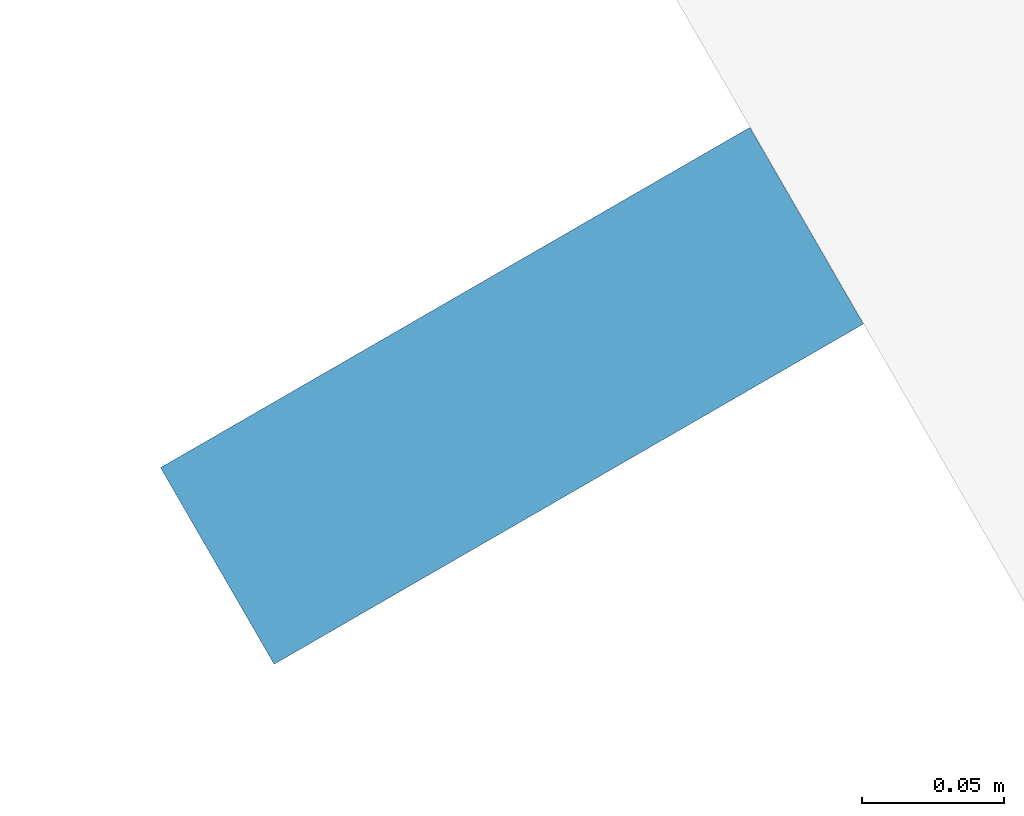
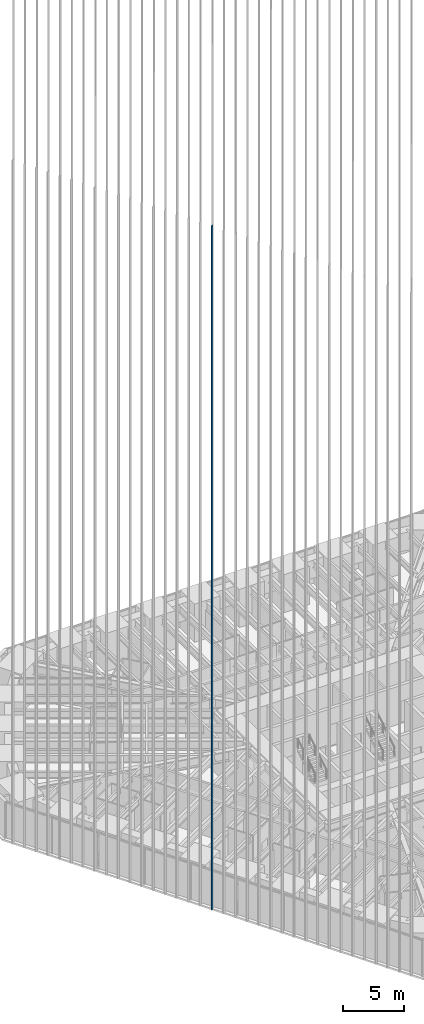
# One storey, part 49 of 256: 1 member, 1 element without a shape of its own.
"""IFC4 building model written with IfcOpenShell, lengths in metres."""

import ifcopenshell
import ifcopenshell.guid

model = None  # the IFC model being written
_history = None  # IfcOwnerHistory: only IFC2X3 demands one
_inside = {}  # id of a spatial element -> (the spatial element, [elements in it])
_under = {}  # id of a project, library or spatial element -> (it, [spatial elements below it])
_declared = {}  # id of a project -> (the project, [libraries it declares])
_typed = {}  # id of a type object -> (the type object, [elements of that type])
_made_of = {}  # id of a material, layer set ... -> (it, [elements and type objects made of it])


def new_model(schema):
    """Start an empty IFC model of exactly this schema.

    Asked for "IFC4X3", IfcOpenShell would pick the latest addendum, in which some entities
    have other attributes; the version numbers below select the first issue.
    IFC2X3 requires an IfcOwnerHistory on every rooted entity: one is made here for all.
    """
    global model, _history
    if schema == "IFC4X3":
        model = ifcopenshell.file(schema_version=(4, 3, 0, 0))
    else:
        model = ifcopenshell.file(schema=schema)
    _inside.clear()
    _under.clear()
    _declared.clear()
    _typed.clear()
    _made_of.clear()
    _history = None
    if model.schema == "IFC2X3":
        org = make("IfcOrganization", Name="unknown")
        user = make(
            "IfcPersonAndOrganization",
            ThePerson=make("IfcPerson", FamilyName="unknown"),
            TheOrganization=org,
        )
        app = make(
            "IfcApplication",
            ApplicationDeveloper=org,
            Version="unknown",
            ApplicationFullName="unknown",
            ApplicationIdentifier="unknown",
        )
        _history = make(
            "IfcOwnerHistory",
            OwningUser=user,
            OwningApplication=app,
            ChangeAction="ADDED",
            CreationDate=0,
        )
    return model


def make(cls, **values):
    """One entity of the class cls with the attributes given. An attribute that is None is left unset."""
    return model.create_entity(
        cls, **{name: value for name, value in values.items() if value is not None}
    )


def rooted(cls, **values):
    """An entity with a GlobalId (a new one), such as an element, a storey or a relation."""
    return make(cls, GlobalId=ifcopenshell.guid.new(), OwnerHistory=_history, **values)


def si_unit(unit_type, name, prefix=None):
    """IfcSIUnit, for example si_unit("LENGTHUNIT", "METRE", prefix="MILLI")."""
    return make("IfcSIUnit", UnitType=unit_type, Prefix=prefix, Name=name)


def assignment(units):
    """IfcUnitAssignment: the units of a project."""
    return None if units is None else make("IfcUnitAssignment", Units=units)


def point(xyz):
    """IfcCartesianPoint."""
    return None if xyz is None else make("IfcCartesianPoint", Coordinates=xyz)


def direction(xyz):
    """IfcDirection."""
    return None if xyz is None else make("IfcDirection", DirectionRatios=xyz)


def frame(location, z_axis=None, x_axis=None):
    """IfcAxis2Placement3D, a coordinate frame: its origin and axes. An axis left out is left unset."""
    return make(
        "IfcAxis2Placement3D",
        Location=point(location),
        Axis=direction(z_axis),
        RefDirection=direction(x_axis),
    )


def frame_2d(location, x_axis=None):
    """IfcAxis2Placement2D, a coordinate frame in the plane: its origin and x axis."""
    return make(
        "IfcAxis2Placement2D", Location=point(location), RefDirection=direction(x_axis)
    )


def origin():
    """The frame at (0, 0, 0) with its axes left unset."""
    return frame((0.0, 0.0, 0.0))


def origin_2d():
    """The frame at (0, 0) in the plane with its x axis left unset."""
    return frame_2d((0.0, 0.0))


def place(relative_to, where):
    """IfcLocalPlacement: puts the frame where relative to a parent placement (None: the world)."""
    return make(
        "IfcLocalPlacement", PlacementRelTo=relative_to, RelativePlacement=where
    )


def context(
    kind, dimensions, precision=None, world=None, true_north=None, identifier=None
):
    """IfcGeometricRepresentationContext, for example the 3D "Model" context."""
    return make(
        "IfcGeometricRepresentationContext",
        ContextIdentifier=identifier,
        ContextType=kind,
        CoordinateSpaceDimension=dimensions,
        Precision=precision,
        WorldCoordinateSystem=world,
        TrueNorth=true_north,
    )


def subcontext(parent, identifier, kind, view, scale=None):
    """IfcGeometricRepresentationSubContext, for example "Body" below "Model"."""
    return make(
        "IfcGeometricRepresentationSubContext",
        ContextIdentifier=identifier,
        ContextType=kind,
        ParentContext=parent,
        TargetScale=scale,
        TargetView=view,
    )


def project(units=None, contexts=None):
    """IfcProject with its units and contexts."""
    return rooted(
        "IfcProject",
        Name="project",
        RepresentationContexts=contexts,
        UnitsInContext=assignment(units),
    )


def spatial(cls, under=None, at=None, **own):
    """A site, building, storey or space (cls), placed at a placement, below another one or the project."""
    s = rooted(cls, ObjectPlacement=at, **own)
    if under is not None:
        _under.setdefault(under.id(), (under, []))[1].append(s)
    return s


def profile(cls, at=None, kind="AREA", **sizes):
    """A parametric profile (cls). Its sizes go by their IFC names, for example OverallWidth=200.0."""
    return make(cls, ProfileType=kind, Position=at, **sizes)


def rectangle(**sizes):
    """IfcRectangleProfileDef."""
    return profile("IfcRectangleProfileDef", **sizes)


def extrude(swept, where, along, depth):
    """IfcExtrudedAreaSolid: the profile swept, set in the frame where, extruded along a direction by depth."""
    return make(
        "IfcExtrudedAreaSolid",
        SweptArea=swept,
        Position=where,
        ExtrudedDirection=direction(along),
        Depth=depth,
    )


def shape(context_of_items, identifier, shape_type, items):
    """IfcShapeRepresentation: the items that make up one representation, for example the "Body"."""
    return make(
        "IfcShapeRepresentation",
        ContextOfItems=context_of_items,
        RepresentationIdentifier=identifier,
        RepresentationType=shape_type,
        Items=items,
    )


def material(Name=None, Category=None):
    """IfcMaterial."""
    return make("IfcMaterial", Name=Name, Category=Category)


def material_profile(
    of_material, cross_section, Name=None, Category=None, Priority=None
):
    """IfcMaterialProfile: a cross section and its material."""
    return make(
        "IfcMaterialProfile",
        Name=Name,
        Material=of_material,
        Profile=cross_section,
        Priority=Priority,
        Category=Category,
    )


def profile_set(profiles, Name=None, composite=None):
    """IfcMaterialProfileSet."""
    return make(
        "IfcMaterialProfileSet",
        Name=Name,
        MaterialProfiles=profiles,
        CompositeProfile=composite,
    )


def made_of(thing, what):
    """Note that an element or type object is made of a material, layer set ...; save() writes the relation."""
    if what is not None:
        _made_of.setdefault(what.id(), (what, []))[1].append(thing)
    return thing


def type_object(cls, material=None, **own):
    """A type object (cls), such as IfcWallType, which elements share."""
    return made_of(rooted(cls, **own), material)


def element(
    cls,
    number,
    at=None,
    inside=None,
    cuts=None,
    type_object=None,
    material=None,
    context=None,
    identifier="Body",
    shape_type=None,
    held_by="IfcProductDefinitionShape",
    body=None,
    shapes=None,
    **own,
):
    """One element of the class cls, such as IfcWall. Its Tag is "e" and its number.

    at: its placement. inside: the storey or other place that contains it. cuts: it is an
    opening in that element (IfcRelVoidsElement). A single representation is given by context,
    identifier, shape_type and body (its items); several are given by shapes. held_by: the class
    of the entity that holds the representations. save() writes the other relations.
    """
    e = rooted(cls, Tag="e%d" % number, ObjectPlacement=at, **own)
    if body is not None:
        shapes = [shape(context, identifier, shape_type, body)]
    if shapes is not None:
        e.Representation = make(held_by, Representations=shapes)
    if inside is not None:
        _inside.setdefault(inside.id(), (inside, []))[1].append(e)
    if cuts is not None:
        rooted(
            "IfcRelVoidsElement", RelatingBuildingElement=cuts, RelatedOpeningElement=e
        )
    if type_object is not None:
        _typed.setdefault(type_object.id(), (type_object, []))[1].append(e)
    return made_of(e, material)


def aggregate(whole, parts):
    """IfcRelAggregates: a whole, such as a stair, and the parts it consists of."""
    return rooted("IfcRelAggregates", RelatingObject=whole, RelatedObjects=parts)


def save(model, path):
    """Write the relations noted so far, then the file.

    IfcRelAggregates (storeys below a building ...), IfcRelContainedInSpatialStructure (elements
    in a storey), IfcRelDefinesByType, IfcRelAssociatesMaterial and IfcRelDeclares: one each for
    every whole, place, type object, material and project.
    """
    for whole, parts in _under.values():
        aggregate(whole, parts)
    for where, things in _inside.values():
        rooted(
            "IfcRelContainedInSpatialStructure",
            RelatedElements=things,
            RelatingStructure=where,
        )
    for kind, things in _typed.values():
        rooted("IfcRelDefinesByType", RelatedObjects=things, RelatingType=kind)
    for what, things in _made_of.values():
        rooted("IfcRelAssociatesMaterial", RelatedObjects=things, RelatingMaterial=what)
    for by, libraries in _declared.values():
        rooted("IfcRelDeclares", RelatingContext=by, RelatedDefinitions=libraries)
    model.write(path)


model = new_model("IFC4")

# Units and contexts
model_context = context("Model", 3, precision=1e-05, world=origin(), true_north=direction((0.0, 1.0)))
body_context = subcontext(model_context, "Body", "Model", "MODEL_VIEW")
ifc_project = project(units=[si_unit("LENGTHUNIT", "METRE"), si_unit("AREAUNIT", "SQUARE_METRE"), si_unit("VOLUMEUNIT", "CUBIC_METRE"), si_unit("PLANEANGLEUNIT", "RADIAN"), si_unit("MASSUNIT", "GRAM", prefix="KILO")], contexts=[model_context])

# Site, building, storey
site_placement = place(None, origin())
site = spatial("IfcSite", under=ifc_project, at=site_placement, CompositionType="ELEMENT")
building_placement = place(site_placement, origin())
building = spatial("IfcBuilding", under=site, at=building_placement, Name="Sandreach Pilgrim Tower", CompositionType="ELEMENT")
storey_placement = place(building_placement, frame((0.0, 0.0, 23.0)))
storey = spatial("IfcBuildingStorey", under=building, at=storey_placement, Name="L04", CompositionType="ELEMENT", Elevation=23.0)

# Curtain wall, member
ifc_material_1 = material(Name="Aluminium framed curtain wall", Category="aluminium")
curtain_wall_type = type_object("IfcCurtainWallType", Name="Hostel tower curtain wall", PredefinedType="NOTDEFINED", material=ifc_material_1)
curtain_wall_placement = place(storey_placement, origin())
curtain_wall = element("IfcCurtainWall", 1, at=curtain_wall_placement, inside=storey, type_object=curtain_wall_type, Name="CW-1 L04 SW", PredefinedType="NOTDEFINED")
ifc_material_2 = material(Name="Extruded terracotta on aluminium core", Category="masonry")
ifc_material_profile = material_profile(ifc_material_2, rectangle(XDim=0.080078125, YDim=0.239990234375, at=origin_2d()), Name="TBW 80X240")
ifc_profile_set = profile_set([ifc_material_profile], Name="Extruded terracotta on aluminium core")
member_type = type_object("IfcMemberType", Name="Terracotta baguette west", PredefinedType="USERDEFINED", material=ifc_profile_set)
member_placement = place(storey_placement, frame((-21.10400390625, -12.184326171875, 0.0), z_axis=(0.0, 0.0, 1.0), x_axis=(-0.5, 0.866025403784, 0.0)))
member = element("IfcMember", 2, at=member_placement, type_object=member_type, Name="Baguette Z1 SW18", ObjectType="BAGUETTE", PredefinedType="USERDEFINED", context=body_context, shape_type="SweptSolid", body=[
    extrude(rectangle(XDim=0.080078125, YDim=0.239990234375, at=origin_2d()), origin(), (0.0, 0.0, 1.0), 68.239990234375),
])
aggregate(curtain_wall, [member])

save(model, "model.ifc")
